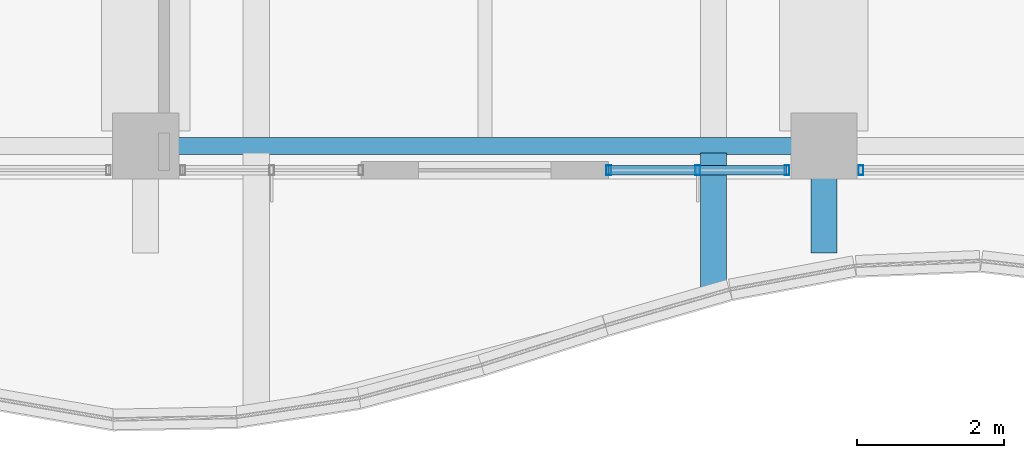
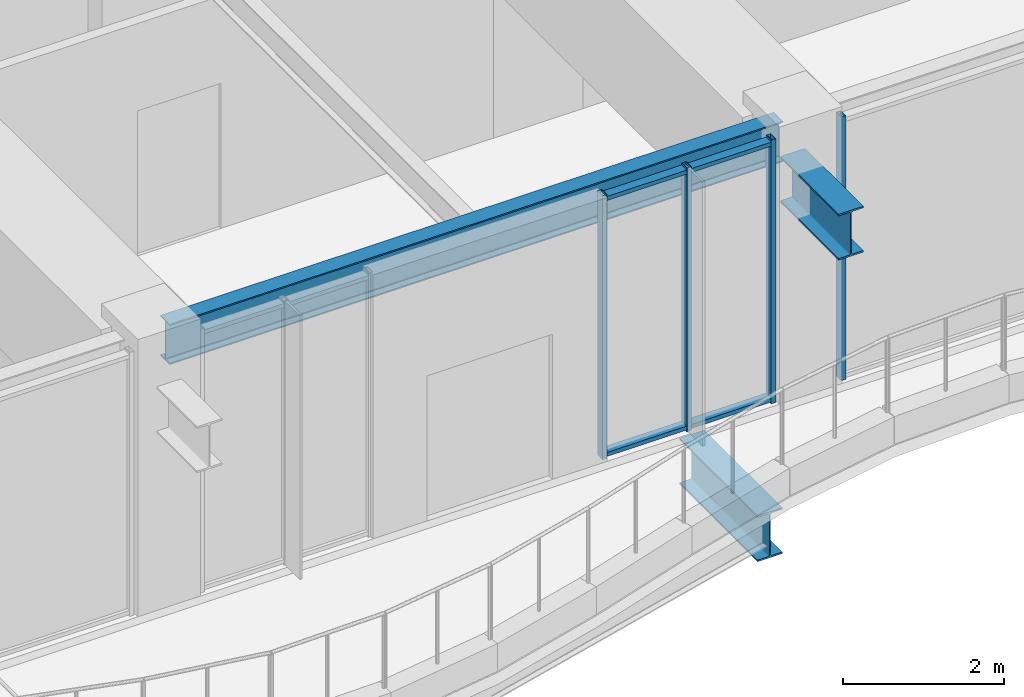
# One storey, part 6 of 33: 6 members, 3 beams, 2 elements without a shape of their own.
"""IFC4 building model written with IfcOpenShell, lengths in metres."""

from ifc_helpers import new_model, si_unit, direction, frame, origin, origin_2d, place, context, subcontext, project, spatial, hollow_rectangle, i_section, extrude, material, material_profile, profile_set, type_object, element, aggregate, save


model = new_model("IFC4")

# Units and contexts
model_context = context("Model", 3, precision=1e-05, world=origin(), true_north=direction((0.0, 1.0)))
body_context = subcontext(model_context, "Body", "Model", "MODEL_VIEW")
ifc_project = project(units=[si_unit("LENGTHUNIT", "METRE"), si_unit("AREAUNIT", "SQUARE_METRE"), si_unit("VOLUMEUNIT", "CUBIC_METRE"), si_unit("PLANEANGLEUNIT", "RADIAN"), si_unit("MASSUNIT", "GRAM", prefix="KILO")], contexts=[model_context])

# Site, building, storey
site_placement = place(None, origin())
site = spatial("IfcSite", under=ifc_project, at=site_placement, CompositionType="ELEMENT")
building_placement = place(site_placement, origin())
building = spatial("IfcBuilding", under=site, at=building_placement, Name="Kolvaren Belvedere", CompositionType="ELEMENT")
storey_placement = place(building_placement, frame((0.0, 0.0, 152.699951171875)))
storey = spatial("IfcBuildingStorey", under=building, at=storey_placement, Name="L44", CompositionType="ELEMENT", Elevation=152.699951171875)

# Beams
ifc_material_1 = material(Name="Structural steel ASTM A992 Grade 50", Category="steel")
ifc_material_profile_1 = material_profile(ifc_material_1, i_section(OverallWidth=0.35498046875, OverallDepth=0.696044921875, WebThickness=0.015380859375, FlangeThickness=0.02490234375, FilletRadius=0.02197265625, at=origin_2d()), Name="W27X146")
ifc_profile_set_1 = profile_set([ifc_material_profile_1], Name="Structural steel ASTM A992 Grade 50")
beam_type_1 = type_object("IfcBeamType", Name="BM-CANT-BAL", PredefinedType="BEAM", material=ifc_profile_set_1)
beam_1_placement = place(storey_placement, frame((3.10009765625, -18.7451171875, -0.64794921875), z_axis=(0.0, -1.0, 0.0), x_axis=(1.0, 0.0, 0.0)))
element("IfcBeam", 1, at=beam_1_placement, inside=storey, type_object=beam_type_1, Name="L44 Planted Balcony Cantilever BAL-S-2", PredefinedType="BEAM", context=body_context, shape_type="SweptSolid", body=[
    extrude(i_section(OverallWidth=0.35498046875, OverallDepth=0.696044921875, WebThickness=0.015380859375, FlangeThickness=0.02490234375, FilletRadius=0.02197265625, at=origin_2d()), origin(), (0.0, 0.0, 1.0), 1.941650390625),
])
beam_2_placement = place(storey_placement, frame((4.60009765625, -18.64990234375, 3.0419921875), z_axis=(0.0, -1.0, 0.0), x_axis=(1.0, 0.0, 0.0)))
element("IfcBeam", 2, at=beam_2_placement, inside=storey, type_object=beam_type_1, Name="L44 South Picture-Frame Column Corbel P", PredefinedType="BEAM", context=body_context, shape_type="SweptSolid", body=[
    extrude(i_section(OverallWidth=0.35498046875, OverallDepth=0.696044921875, WebThickness=0.015380859375, FlangeThickness=0.02490234375, FilletRadius=0.02197265625, at=origin_2d()), origin(), (0.0, 0.0, 1.0), 1.4501953125),
])
ifc_material_2 = material(Name="Structural steel ASTM A992 Grade 50", Category="steel")
ifc_material_profile_2 = material_profile(ifc_material_2, i_section(OverallWidth=0.22900390625, OverallDepth=0.612060546875, WebThickness=0.011962890625, FlangeThickness=0.01953125, FilletRadius=0.01806640625, at=origin_2d()), Name="W24X84")
ifc_profile_set_2 = profile_set([ifc_material_profile_2], Name="Structural steel ASTM A992 Grade 50")
beam_type_2 = type_object("IfcBeamType", Name="BM-SPAN-W24X84", PredefinedType="SPANDREL", material=ifc_profile_set_2)
beam_3_placement = place(storey_placement, frame((-4.3974609375, -18.64990234375, 3.694091796875), z_axis=(1.0, 0.0, 0.0), x_axis=(0.0, 1.0, 0.0)))
element("IfcBeam", 3, at=beam_3_placement, inside=storey, type_object=beam_type_2, Name="L44 Perimeter Spandrel S2-S3", PredefinedType="SPANDREL", context=body_context, shape_type="SweptSolid", body=[
    extrude(i_section(OverallWidth=0.22900390625, OverallDepth=0.612060546875, WebThickness=0.011962890625, FlangeThickness=0.01953125, FilletRadius=0.01806640625, at=origin_2d()), origin(), (0.0, 0.0, 1.0), 8.794921875),
])

# Curtain wall, member
ifc_material_3 = material(Name="Anodised pale-metal aluminium AA 6063-T6", Category="aluminium")
curtain_wall_type = type_object("IfcCurtainWallType", Name="CW-Z3-WAIST", PredefinedType="NOTDEFINED", material=ifc_material_3)
curtain_wall_1_placement = place(storey_placement, origin())
curtain_wall_1 = element("IfcCurtainWall", 4, at=curtain_wall_1_placement, inside=storey, type_object=curtain_wall_type, Name="L44 Unitised Curtain Wall FCW-L44-S1-B1", PredefinedType="NOTDEFINED")
ifc_material_4 = material(Name="Anodised pale-metal aluminium AA 6063-T6", Category="aluminium")
ifc_material_profile_3 = material_profile(ifc_material_4, hollow_rectangle(XDim=0.06494140625, YDim=0.1298828125, WallThickness=0.00390625, at=origin_2d()), Name="ALU-MUL-130X65")
ifc_profile_set_3 = profile_set([ifc_material_profile_3], Name="Anodised pale-metal aluminium AA 6063-T6")
member_type_1 = type_object("IfcMemberType", Name="CW-MUL-130", PredefinedType="MULLION", material=ifc_profile_set_3)
member_1_placement = place(storey_placement, frame((5.1025390625, -18.97998046875, 0.0), z_axis=(0.0, 0.0, 1.0), x_axis=(1.0, 0.0, 0.0)))
member_1 = element("IfcMember", 5, at=member_1_placement, type_object=member_type_1, Name="FCW-L44-S1-B1 Unitised Mullion 3", PredefinedType="MULLION", context=body_context, shape_type="SweptSolid", body=[
    extrude(hollow_rectangle(XDim=0.06494140625, YDim=0.1298828125, WallThickness=0.00390625, at=origin_2d()), origin(), (0.0, 0.0, 1.0), 4.0),
])
aggregate(curtain_wall_1, [member_1])

# Curtain wall, members
curtain_wall_2_placement = place(storey_placement, origin())
curtain_wall_2 = element("IfcCurtainWall", 6, at=curtain_wall_2_placement, inside=storey, type_object=curtain_wall_type, Name="L44 Unitised Curtain Wall FCW-L44-S1-B2", PredefinedType="NOTDEFINED")
member_2_placement = place(storey_placement, frame((4.097412109375, -18.97998046875, 0.0), z_axis=(0.0, 0.0, 1.0), x_axis=(1.0, 0.0, 0.0)))
member_2 = element("IfcMember", 7, at=member_2_placement, type_object=member_type_1, Name="FCW-L44-S1-B2 Unitised Mullion 1", PredefinedType="MULLION", context=body_context, shape_type="SweptSolid", body=[
    extrude(hollow_rectangle(XDim=0.06494140625, YDim=0.1298828125, WallThickness=0.00390625, at=origin_2d()), origin(), (0.0, 0.0, 1.0), 4.0),
])
member_3_placement = place(storey_placement, frame((2.888671875, -18.97998046875, 0.0), z_axis=(0.0, 0.0, 1.0), x_axis=(1.0, 0.0, 0.0)))
member_3 = element("IfcMember", 8, at=member_3_placement, type_object=member_type_1, Name="FCW-L44-S1-B2 Unitised Mullion 2", PredefinedType="MULLION", context=body_context, shape_type="SweptSolid", body=[
    extrude(hollow_rectangle(XDim=0.06494140625, YDim=0.1298828125, WallThickness=0.00390625, at=origin_2d()), origin(), (0.0, 0.0, 1.0), 4.0),
])
member_4_placement = place(storey_placement, frame((1.679931640625, -18.97998046875, 0.0), z_axis=(0.0, 0.0, 1.0), x_axis=(1.0, 0.0, 0.0)))
member_4 = element("IfcMember", 9, at=member_4_placement, type_object=member_type_1, Name="FCW-L44-S1-B2 Unitised Mullion 3", PredefinedType="MULLION", context=body_context, shape_type="SweptSolid", body=[
    extrude(hollow_rectangle(XDim=0.06494140625, YDim=0.1298828125, WallThickness=0.00390625, at=origin_2d()), origin(), (0.0, 0.0, 1.0), 4.0),
])
ifc_material_5 = material(Name="Anodised pale-metal aluminium AA 6063-T6", Category="aluminium")
ifc_material_profile_4 = material_profile(ifc_material_5, hollow_rectangle(XDim=0.06005859375, YDim=0.1298828125, WallThickness=0.00390625, at=origin_2d()), Name="ALU-TRN-130X60")
ifc_profile_set_4 = profile_set([ifc_material_profile_4], Name="Anodised pale-metal aluminium AA 6063-T6")
member_type_2 = type_object("IfcMemberType", Name="CW-TRN-130", PredefinedType="USERDEFINED", material=ifc_profile_set_4)
member_5_placement = place(storey_placement, frame((4.097412109375, -18.97998046875, 0.06005859375), z_axis=(-1.0, 0.0, 0.0), x_axis=(0.0, 0.0, 1.0)))
member_5 = element("IfcMember", 10, at=member_5_placement, type_object=member_type_2, Name="FCW-L44-S1-B2 Sill Transom", ObjectType="TRANSOM", PredefinedType="USERDEFINED", context=body_context, shape_type="SweptSolid", body=[
    extrude(hollow_rectangle(XDim=0.06005859375, YDim=0.1298828125, WallThickness=0.00390625, at=origin_2d()), origin(), (0.0, 0.0, 1.0), 2.41748046875),
])
member_6_placement = place(storey_placement, frame((4.097412109375, -18.97998046875, 3.93994140625), z_axis=(-1.0, 0.0, 0.0), x_axis=(0.0, 0.0, 1.0)))
member_6 = element("IfcMember", 11, at=member_6_placement, type_object=member_type_2, Name="FCW-L44-S1-B2 Head Transom", ObjectType="TRANSOM", PredefinedType="USERDEFINED", context=body_context, shape_type="SweptSolid", body=[
    extrude(hollow_rectangle(XDim=0.06005859375, YDim=0.1298828125, WallThickness=0.00390625, at=origin_2d()), origin(), (0.0, 0.0, 1.0), 2.41748046875),
])
aggregate(curtain_wall_2, [member_2, member_3, member_4, member_5, member_6])

save(model, "model.ifc")
